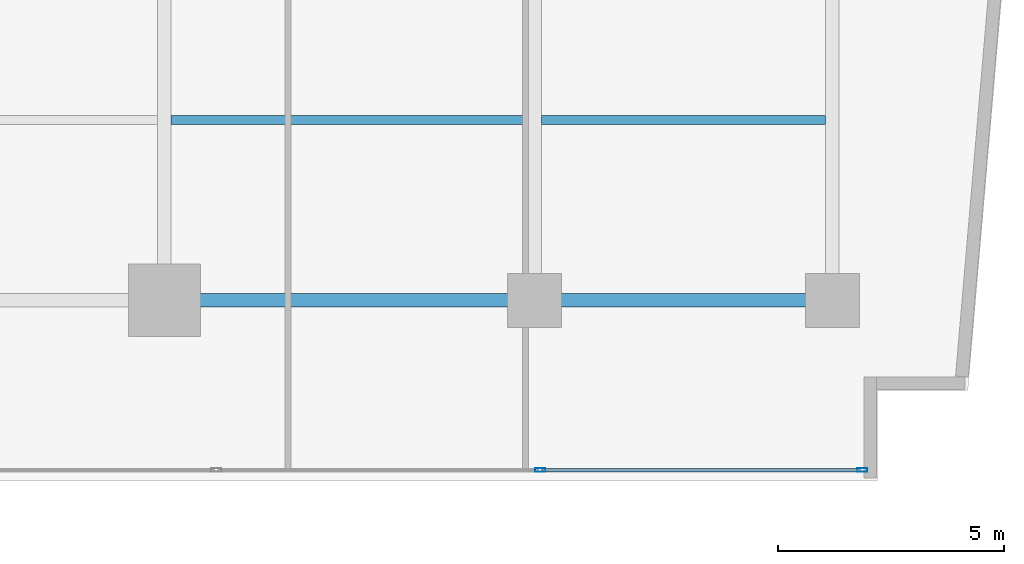
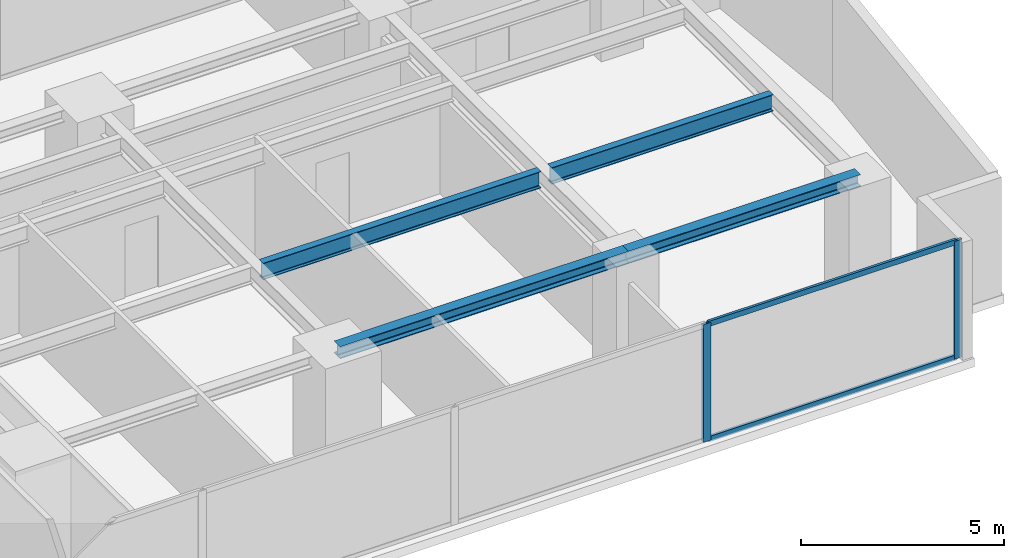
# One storey, part 11 of 27: 4 beams, 4 members, 1 element without a shape of its own.
"""IFC4 building model written with IfcOpenShell, lengths in metres."""

from ifc_helpers import new_model, si_unit, direction, frame, origin, origin_with_axes, origin_2d, place, context, subcontext, project, spatial, hollow_rectangle, i_section, extrude, source, transform, mapped, material, layer, layer_set, material_profile, profile_set, type_object, element, aggregate, save


model = new_model("IFC4")

# Units and contexts
model_context = context("Model", 3, precision=1e-05, world=origin(), true_north=direction((0.0, 1.0)))
body_context = subcontext(model_context, "Body", "Model", "MODEL_VIEW")
ifc_project = project(units=[si_unit("LENGTHUNIT", "METRE"), si_unit("AREAUNIT", "SQUARE_METRE"), si_unit("VOLUMEUNIT", "CUBIC_METRE"), si_unit("PLANEANGLEUNIT", "RADIAN"), si_unit("MASSUNIT", "GRAM", prefix="KILO")], contexts=[model_context])

# Site, building, storey
site_placement = place(None, origin())
site = spatial("IfcSite", under=ifc_project, at=site_placement, CompositionType="ELEMENT")
building_placement = place(site_placement, origin())
building = spatial("IfcBuilding", under=site, at=building_placement, Name="Kolvaren Waterfront Exchange", CompositionType="ELEMENT")
storey_placement = place(building_placement, frame((0.0, 0.0, 63.800048828125)))
storey = spatial("IfcBuildingStorey", under=building, at=storey_placement, Name="L16", CompositionType="ELEMENT", Elevation=63.800048828125)

# Beams
ifc_material_1 = material(Name="Steel S355", Category="steel")
ifc_material_profile_1 = material_profile(ifc_material_1, i_section(OverallWidth=0.300048828125, OverallDepth=0.360107421875, WebThickness=0.012451171875, FlangeThickness=0.0224609375, FilletRadius=0.027099609375, at=origin_2d()), Name="HEB360")
ifc_profile_set_1 = profile_set([ifc_material_profile_1], Name="Steel S355")
beam_type_1 = type_object("IfcBeamType", Name="STR-BM-HEB360", PredefinedType="SPANDREL", material=ifc_profile_set_1)
beam_1_placement = place(storey_placement, frame((45.60009765625, 5.199951171875, 3.35986328125), z_axis=(1.0, 0.0, 0.0), x_axis=(0.0, 1.0, 0.0)))
element("IfcBeam", 1, at=beam_1_placement, inside=storey, type_object=beam_type_1, Name="L16 east-arm spandrel S4", PredefinedType="SPANDREL", context=body_context, shape_type="SweptSolid", body=[
    extrude(i_section(OverallWidth=0.300048828125, OverallDepth=0.360107421875, WebThickness=0.012451171875, FlangeThickness=0.0224609375, FilletRadius=0.027099609375, at=origin_2d()), origin(), (0.0, 0.0, 1.0), 8.199951171875),
])
beam_2_placement = place(storey_placement, frame((53.800048828125, 5.199951171875, 3.35986328125), z_axis=(1.0, 0.0, 0.0), x_axis=(0.0, 1.0, 0.0)))
element("IfcBeam", 2, at=beam_2_placement, inside=storey, type_object=beam_type_1, Name="L16 east-arm spandrel S5", PredefinedType="SPANDREL", context=body_context, shape_type="SweptSolid", body=[
    extrude(i_section(OverallWidth=0.300048828125, OverallDepth=0.360107421875, WebThickness=0.012451171875, FlangeThickness=0.0224609375, FilletRadius=0.027099609375, at=origin_2d()), origin(), (0.0, 0.0, 1.0), 6.599853515625),
])
ifc_material_profile_2 = material_profile(ifc_material_1, i_section(OverallWidth=0.199951171875, OverallDepth=0.5, WebThickness=0.01025390625, FlangeThickness=0.01611328125, FilletRadius=0.02099609375, at=origin_2d()), Name="IPE500")
ifc_profile_set_2 = profile_set([ifc_material_profile_2], Name="Steel S355")
beam_type_2 = type_object("IfcBeamType", Name="STR-BM-IPE500", PredefinedType="JOIST", material=ifc_profile_set_2)
beam_3_placement = place(storey_placement, frame((45.751953125, 9.199951171875, 3.2900390625), z_axis=(1.0, 0.0, 0.0), x_axis=(0.0, 1.0, 0.0)))
element("IfcBeam", 3, at=beam_3_placement, inside=storey, type_object=beam_type_2, Name="L16 east-arm composite joist 4B", PredefinedType="JOIST", context=body_context, shape_type="SweptSolid", body=[
    extrude(i_section(OverallWidth=0.199951171875, OverallDepth=0.5, WebThickness=0.01025390625, FlangeThickness=0.01611328125, FilletRadius=0.02099609375, at=origin_2d()), origin(), (0.0, 0.0, 1.0), 7.89599609375),
])
beam_4_placement = place(storey_placement, frame((53.951904296875, 9.199951171875, 3.2900390625), z_axis=(1.0, 0.0, 0.0), x_axis=(0.0, 1.0, 0.0)))
element("IfcBeam", 4, at=beam_4_placement, inside=storey, type_object=beam_type_2, Name="L16 east-arm composite joist 5B", PredefinedType="JOIST", context=body_context, shape_type="SweptSolid", body=[
    extrude(i_section(OverallWidth=0.199951171875, OverallDepth=0.5, WebThickness=0.01025390625, FlangeThickness=0.01611328125, FilletRadius=0.02099609375, at=origin_2d()), origin(), (0.0, 0.0, 1.0), 6.296142578125),
])

# Curtain wall, members
ifc_material_2 = material(Name="Anodised bronze aluminium 6063-T6", Category="aluminium")
ifc_layer = layer(ifc_material_2, 0.219970703125, Name="Anodised bronze aluminium 6063-T6")
ifc_layer_set = layer_set([ifc_layer], Name="Anodised bronze aluminium 6063-T6")
curtain_wall_type = type_object("IfcCurtainWallType", Name="ARC-CW-SYS1", PredefinedType="USERDEFINED", material=ifc_layer_set)
curtain_wall_placement = place(storey_placement, origin())
curtain_wall = element("IfcCurtainWall", 5, at=curtain_wall_placement, inside=storey, type_object=curtain_wall_type, Name="L16 stick curtain wall CW1 (CW-L16-S)", ObjectType="STICK CURTAIN WALL", PredefinedType="USERDEFINED")
ifc_material_3 = material(Name="Anodised aluminium 6063-T6", Category="aluminium")
ifc_material_profile_3 = material_profile(ifc_material_3, hollow_rectangle(XDim=0.074951171875, YDim=0.159912109375, WallThickness=0.00439453125, at=origin_2d()), Name="ALU-TRN-160x75x4.5")
ifc_profile_set_3 = profile_set([ifc_material_profile_3], Name="Anodised aluminium 6063-T6")
member_type_1 = type_object("IfcMemberType", Name="ARC-CWT-160", PredefinedType="USERDEFINED", material=ifc_profile_set_3)
shared_shape_1 = source(origin_with_axes(), body_context, "Body", "SweptSolid", [
    extrude(hollow_rectangle(XDim=0.074951171875, YDim=0.159912109375, WallThickness=0.00439453125, at=origin_2d()), origin(), (0.0, 0.0, 1.0), 7.054931640625),
])
member_1_placement = place(storey_placement, frame((53.965087890625, 1.43994140625, 0.037353515625), z_axis=(1.0, 0.0, 0.0), x_axis=(0.0, 1.0, 0.0)))
member_1 = element("IfcMember", 6, at=member_1_placement, type_object=member_type_1, Name="CW1 transom 8.1", ObjectType="TRANSOM", PredefinedType="USERDEFINED", context=body_context, shape_type="MappedRepresentation", body=[
    mapped(shared_shape_1, transform((0.0, 0.0, 0.0), x_axis=(1.0, 0.0, 0.0), y_axis=(0.0, 1.0, 0.0), z_axis=(0.0, 0.0, 1.0), scale=1.0)),
])
member_2_placement = place(storey_placement, frame((53.965087890625, 1.43994140625, 3.50244140625), z_axis=(1.0, 0.0, 0.0), x_axis=(0.0, 1.0, 0.0)))
member_2 = element("IfcMember", 7, at=member_2_placement, type_object=member_type_1, Name="CW1 transom 8.2", ObjectType="TRANSOM", PredefinedType="USERDEFINED", context=body_context, shape_type="MappedRepresentation", body=[
    mapped(shared_shape_1, transform((0.0, 0.0, 0.0), x_axis=(1.0, 0.0, 0.0), y_axis=(0.0, 1.0, 0.0), z_axis=(0.0, 0.0, 1.0), scale=1.0)),
])
ifc_material_profile_4 = material_profile(ifc_material_3, hollow_rectangle(XDim=0.080078125, YDim=0.219970703125, WallThickness=0.0048828125, at=origin_2d()), Name="ALU-MUL-220x80x5")
ifc_profile_set_4 = profile_set([ifc_material_profile_4], Name="Anodised aluminium 6063-T6")
member_type_2 = type_object("IfcMemberType", Name="ARC-CWM-220", PredefinedType="MULLION", material=ifc_profile_set_4)
shared_shape_2 = source(origin_with_axes(), body_context, "Body", "SweptSolid", [
    extrude(hollow_rectangle(XDim=0.080078125, YDim=0.219970703125, WallThickness=0.0048828125, at=origin_2d()), origin(), (0.0, 0.0, 1.0), 3.5400390625),
])
member_3_placement = place(storey_placement, frame((53.925048828125, 1.43994140625, 0.0), z_axis=(0.0, 0.0, 1.0), x_axis=(0.0, 1.0, 0.0)))
member_3 = element("IfcMember", 8, at=member_3_placement, type_object=member_type_2, Name="CW1 mullion 8", PredefinedType="MULLION", context=body_context, shape_type="MappedRepresentation", body=[
    mapped(shared_shape_2, transform((0.0, 0.0, 0.0), x_axis=(1.0, 0.0, 0.0), y_axis=(0.0, 1.0, 0.0), z_axis=(0.0, 0.0, 1.0), scale=1.0)),
])
member_4_placement = place(storey_placement, frame((61.06005859375, 1.43994140625, 0.0), z_axis=(0.0, 0.0, 1.0), x_axis=(0.0, 1.0, 0.0)))
member_4 = element("IfcMember", 9, at=member_4_placement, type_object=member_type_2, Name="CW1 mullion 9", PredefinedType="MULLION", context=body_context, shape_type="MappedRepresentation", body=[
    mapped(shared_shape_2, transform((0.0, 0.0, 0.0), x_axis=(1.0, 0.0, 0.0), y_axis=(0.0, 1.0, 0.0), z_axis=(0.0, 0.0, 1.0), scale=1.0)),
])
aggregate(curtain_wall, [member_3, member_4, member_1, member_2])

save(model, "model.ifc")
